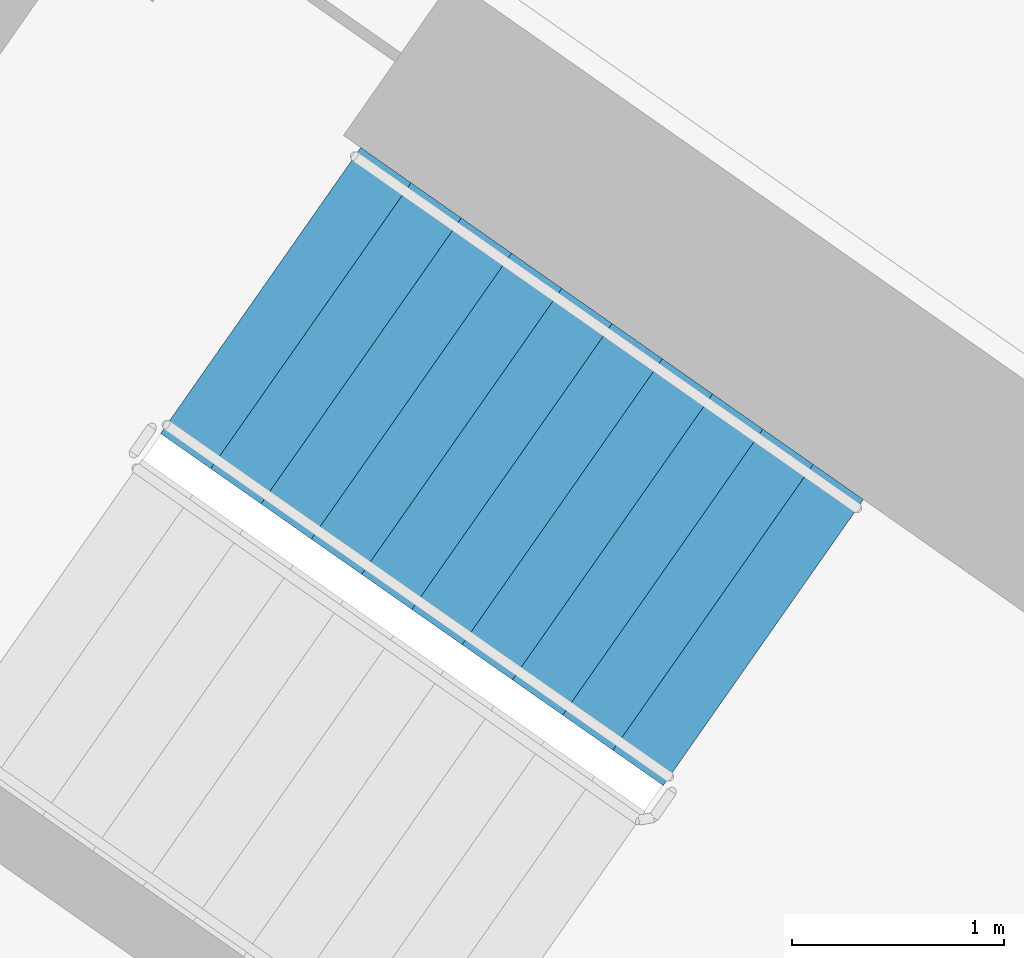
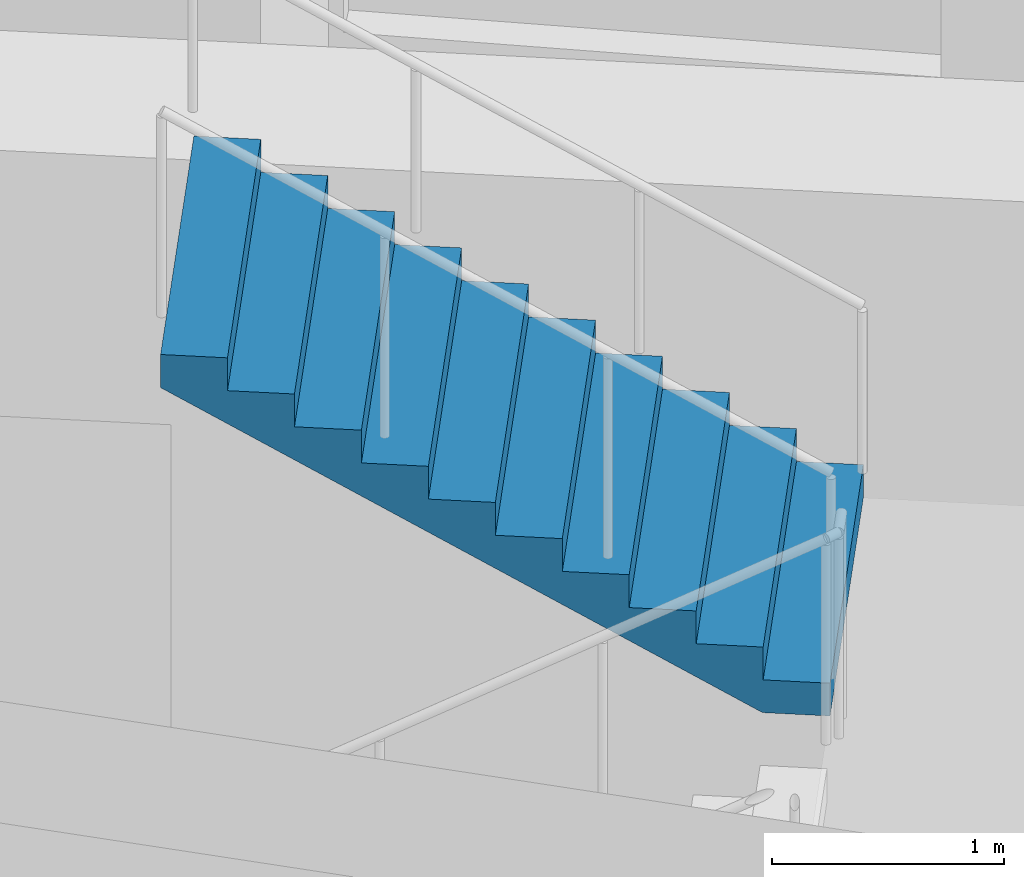
# One storey, part 13 of 29: 1 stair flight, 1 element without a shape of its own.
"""IFC4 building model written with IfcOpenShell, lengths in metres."""

from ifc_helpers import new_model, si_unit, direction, frame, origin, place, context, subcontext, project, spatial, faceted_brep, material, type_object, element, aggregate, save


model = new_model("IFC4")

# Units and contexts
model_context = context("Model", 3, precision=1e-05, world=origin(), true_north=direction((0.0, 1.0)))
body_context = subcontext(model_context, "Body", "Model", "MODEL_VIEW")
ifc_project = project(units=[si_unit("LENGTHUNIT", "METRE"), si_unit("AREAUNIT", "SQUARE_METRE"), si_unit("VOLUMEUNIT", "CUBIC_METRE"), si_unit("PLANEANGLEUNIT", "RADIAN"), si_unit("MASSUNIT", "GRAM", prefix="KILO")], contexts=[model_context])

# Site, building, storey
site_placement = place(None, origin())
site = spatial("IfcSite", under=ifc_project, at=site_placement, CompositionType="ELEMENT")
building_placement = place(site_placement, origin())
building = spatial("IfcBuilding", under=site, at=building_placement, Name="Qamariyya Broadcast Tower", CompositionType="ELEMENT")
storey_placement = place(building_placement, frame((0.0, 0.0, 113.89990234375)))
storey = spatial("IfcBuildingStorey", under=building, at=storey_placement, Name="L25", CompositionType="ELEMENT", Elevation=113.89990234375)

# Stair, stair flight
ifc_material = material(Name="Concrete C50/60", Category="concrete")
stair_type = type_object("IfcStairType", Name="Exit stair 22 risers of 173 mm", PredefinedType="HALF_TURN_STAIR", material=ifc_material)
stair_placement = place(storey_placement, origin())
stair = element("IfcStair", 1, at=stair_placement, inside=storey, type_object=stair_type, Name="L25 Stair W2", PredefinedType="HALF_TURN_STAIR")
stair_flight_type = type_object("IfcStairFlightType", Name="Exit stair flight 11 risers of 173 mm", PredefinedType="STRAIGHT", material=ifc_material)
stair_flight_placement = place(storey_placement, frame((-38.18310546875, -49.3486328125, 1.900146484375), z_axis=(0.0, 0.0, 1.0), x_axis=(-0.819152044289, 0.573576436351, 0.0)))
stair_flight = element("IfcStairFlight", 2, at=stair_flight_placement, type_object=stair_flight_type, Name="ST-W2 flight 2", NumberOfRisers=11, NumberOfTreads=10, PredefinedType="STRAIGHT", RiserHeight=0.172727273, TreadLength=0.29, context=body_context, shape_type="Brep", body=[
    faceted_brep([(0.0, 0.824951171875, 0.0), (0.0, 0.824951171875, 0.172607421875), (0.2900390625, 0.824951171875, 0.172607421875), (0.2900390625, 0.824951171875, 0.345458984375), (0.580078125, 0.824951171875, 0.345458984375), (0.580078125, 0.824951171875, 0.51806640625), (0.8701171875, 0.824951171875, 0.51806640625), (0.8701171875, 0.824951171875, 0.69091796875), (1.159912109375, 0.824951171875, 0.69091796875), (1.159912109375, 0.824951171875, 0.863525390625), (1.449951171875, 0.824951171875, 0.863525390625), (1.449951171875, 0.824951171875, 1.036376953125), (1.739990234375, 0.824951171875, 1.036376953125), (1.739990234375, 0.824951171875, 1.208984375), (2.030029296875, 0.824951171875, 1.208984375), (2.030029296875, 0.824951171875, 1.3818359375), (2.320068359375, 0.824951171875, 1.3818359375), (2.320068359375, 0.824951171875, 1.554443359375), (2.610107421875, 0.824951171875, 1.554443359375), (2.610107421875, 0.824951171875, 1.727294921875), (2.89990234375, 0.824951171875, 1.727294921875), (2.89990234375, 0.824951171875, 1.552734375), (0.29296875, 0.824951171875, 0.0), (0.29296875, -0.824951171875, 0.0), (2.89990234375, -0.824951171875, 1.552734375), (2.89990234375, -0.824951171875, 1.727294921875), (2.610107421875, -0.824951171875, 1.727294921875), (2.610107421875, -0.824951171875, 1.554443359375), (2.320068359375, -0.824951171875, 1.554443359375), (2.320068359375, -0.824951171875, 1.3818359375), (2.030029296875, -0.824951171875, 1.3818359375), (2.030029296875, -0.824951171875, 1.208984375), (1.739990234375, -0.824951171875, 1.208984375), (1.739990234375, -0.824951171875, 1.036376953125), (1.449951171875, -0.824951171875, 1.036376953125), (1.449951171875, -0.824951171875, 0.863525390625), (1.159912109375, -0.824951171875, 0.863525390625), (1.159912109375, -0.824951171875, 0.69091796875), (0.8701171875, -0.824951171875, 0.69091796875), (0.8701171875, -0.824951171875, 0.51806640625), (0.580078125, -0.824951171875, 0.51806640625), (0.580078125, -0.824951171875, 0.345458984375), (0.2900390625, -0.824951171875, 0.345458984375), (0.2900390625, -0.824951171875, 0.172607421875), (0.0, -0.824951171875, 0.172607421875), (0.0, -0.824951171875, 0.0), (0.0, 0.10009765625, 0.0), (0.0, 0.086669921875, 0.0), (0.0, 0.0732421875, 0.0), (0.0, 0.06005859375, 0.0), (0.0, 0.046630859375, 0.0), (0.0, 0.033447265625, 0.0), (0.0, 0.02001953125, 0.0), (0.0, 0.006591796875, 0.0), (0.0, -0.006591796875, 0.0), (0.0, -0.02001953125, 0.0), (0.0, -0.033447265625, 0.0), (0.0, -0.046630859375, 0.0), (0.0, -0.06005859375, 0.0), (0.0, -0.0732421875, 0.0), (0.0, -0.086669921875, 0.0), (0.0, -0.10009765625, 0.0), (0.0, -0.10009765625, 0.172607421875), (0.0, -0.086669921875, 0.172607421875), (0.0, -0.0732421875, 0.172607421875), (0.0, -0.06005859375, 0.172607421875), (0.0, -0.046630859375, 0.172607421875), (0.0, -0.033447265625, 0.172607421875), (0.0, -0.02001953125, 0.172607421875), (0.0, -0.006591796875, 0.172607421875), (0.0, 0.006591796875, 0.172607421875), (0.0, 0.02001953125, 0.172607421875), (0.0, 0.033447265625, 0.172607421875), (0.0, 0.046630859375, 0.172607421875), (0.0, 0.06005859375, 0.172607421875), (0.0, 0.0732421875, 0.172607421875), (0.0, 0.086669921875, 0.172607421875), (0.0, 0.10009765625, 0.172607421875), (0.2900390625, -0.10009765625, 0.172607421875), (0.2900390625, -0.086669921875, 0.172607421875), (0.2900390625, -0.0732421875, 0.172607421875), (0.2900390625, -0.06005859375, 0.172607421875), (0.2900390625, -0.046630859375, 0.172607421875), (0.2900390625, -0.033447265625, 0.172607421875), (0.2900390625, -0.02001953125, 0.172607421875), (0.2900390625, -0.006591796875, 0.172607421875), (0.2900390625, 0.006591796875, 0.172607421875), (0.2900390625, 0.02001953125, 0.172607421875), (0.2900390625, 0.033447265625, 0.172607421875), (0.2900390625, 0.046630859375, 0.172607421875), (0.2900390625, 0.06005859375, 0.172607421875), (0.2900390625, 0.0732421875, 0.172607421875), (0.2900390625, 0.086669921875, 0.172607421875), (0.2900390625, 0.10009765625, 0.172607421875), (0.2900390625, -0.10009765625, 0.345458984375), (0.2900390625, -0.086669921875, 0.345458984375), (0.2900390625, -0.0732421875, 0.345458984375), (0.2900390625, -0.06005859375, 0.345458984375), (0.2900390625, -0.046630859375, 0.345458984375), (0.2900390625, -0.033447265625, 0.345458984375), (0.2900390625, -0.02001953125, 0.345458984375), (0.2900390625, -0.006591796875, 0.345458984375), (0.2900390625, 0.006591796875, 0.345458984375), (0.2900390625, 0.02001953125, 0.345458984375), (0.2900390625, 0.033447265625, 0.345458984375), (0.2900390625, 0.046630859375, 0.345458984375), (0.2900390625, 0.06005859375, 0.345458984375), (0.2900390625, 0.0732421875, 0.345458984375), (0.2900390625, 0.086669921875, 0.345458984375), (0.2900390625, 0.10009765625, 0.345458984375), (0.580078125, -0.10009765625, 0.345458984375), (0.580078125, -0.086669921875, 0.345458984375), (0.580078125, -0.0732421875, 0.345458984375), (0.580078125, -0.06005859375, 0.345458984375), (0.580078125, -0.046630859375, 0.345458984375), (0.580078125, -0.033447265625, 0.345458984375), (0.580078125, -0.02001953125, 0.345458984375), (0.580078125, -0.006591796875, 0.345458984375), (0.580078125, 0.006591796875, 0.345458984375), (0.580078125, 0.02001953125, 0.345458984375), (0.580078125, 0.033447265625, 0.345458984375), (0.580078125, 0.046630859375, 0.345458984375), (0.580078125, 0.06005859375, 0.345458984375), (0.580078125, 0.0732421875, 0.345458984375), (0.580078125, 0.086669921875, 0.345458984375), (0.580078125, 0.10009765625, 0.345458984375), (0.580078125, -0.10009765625, 0.51806640625), (0.580078125, -0.086669921875, 0.51806640625), (0.580078125, -0.0732421875, 0.51806640625), (0.580078125, -0.06005859375, 0.51806640625), (0.580078125, -0.046630859375, 0.51806640625), (0.580078125, -0.033447265625, 0.51806640625), (0.580078125, -0.02001953125, 0.51806640625), (0.580078125, -0.006591796875, 0.51806640625), (0.580078125, 0.006591796875, 0.51806640625), (0.580078125, 0.02001953125, 0.51806640625), (0.580078125, 0.033447265625, 0.51806640625), (0.580078125, 0.046630859375, 0.51806640625), (0.580078125, 0.06005859375, 0.51806640625), (0.580078125, 0.0732421875, 0.51806640625), (0.580078125, 0.086669921875, 0.51806640625), (0.580078125, 0.10009765625, 0.51806640625), (0.8701171875, -0.10009765625, 0.51806640625), (0.8701171875, -0.086669921875, 0.51806640625), (0.8701171875, -0.0732421875, 0.51806640625), (0.8701171875, -0.06005859375, 0.51806640625), (0.8701171875, -0.046630859375, 0.51806640625), (0.8701171875, -0.033447265625, 0.51806640625), (0.8701171875, -0.02001953125, 0.51806640625), (0.8701171875, -0.006591796875, 0.51806640625), (0.8701171875, 0.006591796875, 0.51806640625), (0.8701171875, 0.02001953125, 0.51806640625), (0.8701171875, 0.033447265625, 0.51806640625), (0.8701171875, 0.046630859375, 0.51806640625), (0.8701171875, 0.06005859375, 0.51806640625), (0.8701171875, 0.0732421875, 0.51806640625), (0.8701171875, 0.086669921875, 0.51806640625), (0.8701171875, 0.10009765625, 0.51806640625), (0.8701171875, -0.10009765625, 0.69091796875), (0.8701171875, -0.086669921875, 0.69091796875), (0.8701171875, -0.0732421875, 0.69091796875), (0.8701171875, -0.06005859375, 0.69091796875), (0.8701171875, -0.046630859375, 0.69091796875), (0.8701171875, -0.033447265625, 0.69091796875), (0.8701171875, -0.02001953125, 0.69091796875), (0.8701171875, -0.006591796875, 0.69091796875), (0.8701171875, 0.006591796875, 0.69091796875), (0.8701171875, 0.02001953125, 0.69091796875), (0.8701171875, 0.033447265625, 0.69091796875), (0.8701171875, 0.046630859375, 0.69091796875), (0.8701171875, 0.06005859375, 0.69091796875), (0.8701171875, 0.0732421875, 0.69091796875), (0.8701171875, 0.086669921875, 0.69091796875), (0.8701171875, 0.10009765625, 0.69091796875), (1.159912109375, -0.10009765625, 0.69091796875), (1.159912109375, -0.086669921875, 0.69091796875), (1.159912109375, -0.0732421875, 0.69091796875), (1.159912109375, -0.06005859375, 0.69091796875), (1.159912109375, -0.046630859375, 0.69091796875), (1.159912109375, -0.033447265625, 0.69091796875), (1.159912109375, -0.02001953125, 0.69091796875), (1.159912109375, -0.006591796875, 0.69091796875), (1.159912109375, 0.006591796875, 0.69091796875), (1.159912109375, 0.02001953125, 0.69091796875), (1.159912109375, 0.033447265625, 0.69091796875), (1.159912109375, 0.046630859375, 0.69091796875), (1.159912109375, 0.06005859375, 0.69091796875), (1.159912109375, 0.0732421875, 0.69091796875), (1.159912109375, 0.086669921875, 0.69091796875), (1.159912109375, 0.10009765625, 0.69091796875), (1.159912109375, -0.10009765625, 0.863525390625), (1.159912109375, -0.086669921875, 0.863525390625), (1.159912109375, -0.0732421875, 0.863525390625), (1.159912109375, -0.06005859375, 0.863525390625), (1.159912109375, -0.046630859375, 0.863525390625), (1.159912109375, -0.033447265625, 0.863525390625), (1.159912109375, -0.02001953125, 0.863525390625), (1.159912109375, -0.006591796875, 0.863525390625), (1.159912109375, 0.006591796875, 0.863525390625), (1.159912109375, 0.02001953125, 0.863525390625), (1.159912109375, 0.033447265625, 0.863525390625), (1.159912109375, 0.046630859375, 0.863525390625), (1.159912109375, 0.06005859375, 0.863525390625), (1.159912109375, 0.0732421875, 0.863525390625), (1.159912109375, 0.086669921875, 0.863525390625), (1.159912109375, 0.10009765625, 0.863525390625), (1.449951171875, -0.10009765625, 0.863525390625), (1.449951171875, -0.086669921875, 0.863525390625), (1.449951171875, -0.0732421875, 0.863525390625), (1.449951171875, -0.06005859375, 0.863525390625), (1.449951171875, -0.046630859375, 0.863525390625), (1.449951171875, -0.033447265625, 0.863525390625), (1.449951171875, -0.02001953125, 0.863525390625), (1.449951171875, -0.006591796875, 0.863525390625), (1.449951171875, 0.006591796875, 0.863525390625), (1.449951171875, 0.02001953125, 0.863525390625), (1.449951171875, 0.033447265625, 0.863525390625), (1.449951171875, 0.046630859375, 0.863525390625), (1.449951171875, 0.06005859375, 0.863525390625), (1.449951171875, 0.0732421875, 0.863525390625), (1.449951171875, 0.086669921875, 0.863525390625), (1.449951171875, 0.10009765625, 0.863525390625), (1.449951171875, -0.10009765625, 1.036376953125), (1.449951171875, -0.086669921875, 1.036376953125), (1.449951171875, -0.0732421875, 1.036376953125), (1.449951171875, -0.06005859375, 1.036376953125), (1.449951171875, -0.046630859375, 1.036376953125), (1.449951171875, -0.033447265625, 1.036376953125), (1.449951171875, -0.02001953125, 1.036376953125), (1.449951171875, -0.006591796875, 1.036376953125), (1.449951171875, 0.006591796875, 1.036376953125), (1.449951171875, 0.02001953125, 1.036376953125), (1.449951171875, 0.033447265625, 1.036376953125), (1.449951171875, 0.046630859375, 1.036376953125), (1.449951171875, 0.06005859375, 1.036376953125), (1.449951171875, 0.0732421875, 1.036376953125), (1.449951171875, 0.086669921875, 1.036376953125), (1.449951171875, 0.10009765625, 1.036376953125), (1.739990234375, -0.10009765625, 1.036376953125), (1.739990234375, -0.086669921875, 1.036376953125), (1.739990234375, -0.0732421875, 1.036376953125), (1.739990234375, -0.06005859375, 1.036376953125), (1.739990234375, -0.046630859375, 1.036376953125), (1.739990234375, -0.033447265625, 1.036376953125), (1.739990234375, -0.02001953125, 1.036376953125), (1.739990234375, -0.006591796875, 1.036376953125), (1.739990234375, 0.006591796875, 1.036376953125), (1.739990234375, 0.02001953125, 1.036376953125), (1.739990234375, 0.033447265625, 1.036376953125), (1.739990234375, 0.046630859375, 1.036376953125), (1.739990234375, 0.06005859375, 1.036376953125), (1.739990234375, 0.0732421875, 1.036376953125), (1.739990234375, 0.086669921875, 1.036376953125), (1.739990234375, 0.10009765625, 1.036376953125), (1.739990234375, -0.10009765625, 1.208984375), (1.739990234375, -0.086669921875, 1.208984375), (1.739990234375, -0.0732421875, 1.208984375), (1.739990234375, -0.06005859375, 1.208984375), (1.739990234375, -0.046630859375, 1.208984375), (1.739990234375, -0.033447265625, 1.208984375), (1.739990234375, -0.02001953125, 1.208984375), (1.739990234375, -0.006591796875, 1.208984375), (1.739990234375, 0.006591796875, 1.208984375), (1.739990234375, 0.02001953125, 1.208984375), (1.739990234375, 0.033447265625, 1.208984375), (1.739990234375, 0.046630859375, 1.208984375), (1.739990234375, 0.06005859375, 1.208984375), (1.739990234375, 0.0732421875, 1.208984375), (1.739990234375, 0.086669921875, 1.208984375), (1.739990234375, 0.10009765625, 1.208984375), (2.030029296875, -0.10009765625, 1.208984375), (2.030029296875, -0.086669921875, 1.208984375), (2.030029296875, -0.0732421875, 1.208984375), (2.030029296875, -0.06005859375, 1.208984375), (2.030029296875, -0.046630859375, 1.208984375), (2.030029296875, -0.033447265625, 1.208984375), (2.030029296875, -0.02001953125, 1.208984375), (2.030029296875, -0.006591796875, 1.208984375), (2.030029296875, 0.006591796875, 1.208984375), (2.030029296875, 0.02001953125, 1.208984375), (2.030029296875, 0.033447265625, 1.208984375), (2.030029296875, 0.046630859375, 1.208984375), (2.030029296875, 0.06005859375, 1.208984375), (2.030029296875, 0.0732421875, 1.208984375), (2.030029296875, 0.086669921875, 1.208984375), (2.030029296875, 0.10009765625, 1.208984375), (2.030029296875, -0.10009765625, 1.3818359375), (2.030029296875, -0.086669921875, 1.3818359375), (2.030029296875, -0.0732421875, 1.3818359375), (2.030029296875, -0.06005859375, 1.3818359375), (2.030029296875, -0.046630859375, 1.3818359375), (2.030029296875, -0.033447265625, 1.3818359375), (2.030029296875, -0.02001953125, 1.3818359375), (2.030029296875, -0.006591796875, 1.3818359375), (2.030029296875, 0.006591796875, 1.3818359375), (2.030029296875, 0.02001953125, 1.3818359375), (2.030029296875, 0.033447265625, 1.3818359375), (2.030029296875, 0.046630859375, 1.3818359375), (2.030029296875, 0.06005859375, 1.3818359375), (2.030029296875, 0.0732421875, 1.3818359375), (2.030029296875, 0.086669921875, 1.3818359375), (2.030029296875, 0.10009765625, 1.3818359375), (2.320068359375, -0.10009765625, 1.3818359375), (2.320068359375, -0.086669921875, 1.3818359375), (2.320068359375, -0.0732421875, 1.3818359375), (2.320068359375, -0.06005859375, 1.3818359375), (2.320068359375, -0.046630859375, 1.3818359375), (2.320068359375, -0.033447265625, 1.3818359375), (2.320068359375, -0.02001953125, 1.3818359375), (2.320068359375, -0.006591796875, 1.3818359375), (2.320068359375, 0.006591796875, 1.3818359375), (2.320068359375, 0.02001953125, 1.3818359375), (2.320068359375, 0.033447265625, 1.3818359375), (2.320068359375, 0.046630859375, 1.3818359375), (2.320068359375, 0.06005859375, 1.3818359375), (2.320068359375, 0.0732421875, 1.3818359375), (2.320068359375, 0.086669921875, 1.3818359375), (2.320068359375, 0.10009765625, 1.3818359375), (2.320068359375, -0.10009765625, 1.554443359375), (2.320068359375, -0.086669921875, 1.554443359375), (2.320068359375, -0.0732421875, 1.554443359375), (2.320068359375, -0.06005859375, 1.554443359375), (2.320068359375, -0.046630859375, 1.554443359375), (2.320068359375, -0.033447265625, 1.554443359375), (2.320068359375, -0.02001953125, 1.554443359375), (2.320068359375, -0.006591796875, 1.554443359375), (2.320068359375, 0.006591796875, 1.554443359375), (2.320068359375, 0.02001953125, 1.554443359375), (2.320068359375, 0.033447265625, 1.554443359375), (2.320068359375, 0.046630859375, 1.554443359375), (2.320068359375, 0.06005859375, 1.554443359375), (2.320068359375, 0.0732421875, 1.554443359375), (2.320068359375, 0.086669921875, 1.554443359375), (2.320068359375, 0.10009765625, 1.554443359375), (2.610107421875, -0.10009765625, 1.554443359375), (2.610107421875, -0.086669921875, 1.554443359375), (2.610107421875, -0.0732421875, 1.554443359375), (2.610107421875, -0.06005859375, 1.554443359375), (2.610107421875, -0.046630859375, 1.554443359375), (2.610107421875, -0.033447265625, 1.554443359375), (2.610107421875, -0.02001953125, 1.554443359375), (2.610107421875, -0.006591796875, 1.554443359375), (2.610107421875, 0.006591796875, 1.554443359375), (2.610107421875, 0.02001953125, 1.554443359375), (2.610107421875, 0.033447265625, 1.554443359375), (2.610107421875, 0.046630859375, 1.554443359375), (2.610107421875, 0.06005859375, 1.554443359375), (2.610107421875, 0.0732421875, 1.554443359375), (2.610107421875, 0.086669921875, 1.554443359375), (2.610107421875, 0.10009765625, 1.554443359375), (2.610107421875, -0.10009765625, 1.727294921875), (2.610107421875, -0.086669921875, 1.727294921875), (2.610107421875, -0.0732421875, 1.727294921875), (2.610107421875, -0.06005859375, 1.727294921875), (2.610107421875, -0.046630859375, 1.727294921875), (2.610107421875, -0.033447265625, 1.727294921875), (2.610107421875, -0.02001953125, 1.727294921875), (2.610107421875, -0.006591796875, 1.727294921875), (2.610107421875, 0.006591796875, 1.727294921875), (2.610107421875, 0.02001953125, 1.727294921875), (2.610107421875, 0.033447265625, 1.727294921875), (2.610107421875, 0.046630859375, 1.727294921875), (2.610107421875, 0.06005859375, 1.727294921875), (2.610107421875, 0.0732421875, 1.727294921875), (2.610107421875, 0.086669921875, 1.727294921875), (2.610107421875, 0.10009765625, 1.727294921875), (2.89990234375, -0.10009765625, 1.727294921875), (2.89990234375, -0.086669921875, 1.727294921875), (2.89990234375, -0.0732421875, 1.727294921875), (2.89990234375, -0.06005859375, 1.727294921875), (2.89990234375, -0.046630859375, 1.727294921875), (2.89990234375, -0.033447265625, 1.727294921875), (2.89990234375, -0.02001953125, 1.727294921875), (2.89990234375, -0.006591796875, 1.727294921875), (2.89990234375, 0.006591796875, 1.727294921875), (2.89990234375, 0.02001953125, 1.727294921875), (2.89990234375, 0.033447265625, 1.727294921875), (2.89990234375, 0.046630859375, 1.727294921875), (2.89990234375, 0.06005859375, 1.727294921875), (2.89990234375, 0.0732421875, 1.727294921875), (2.89990234375, 0.086669921875, 1.727294921875), (2.89990234375, 0.10009765625, 1.727294921875), (2.89990234375, -0.10009765625, 1.552734375), (2.89990234375, -0.086669921875, 1.552734375), (2.89990234375, -0.0732421875, 1.552734375), (2.89990234375, -0.06005859375, 1.552734375), (2.89990234375, -0.046630859375, 1.552734375), (2.89990234375, -0.033447265625, 1.552734375), (2.89990234375, -0.02001953125, 1.552734375), (2.89990234375, -0.006591796875, 1.552734375), (2.89990234375, 0.006591796875, 1.552734375), (2.89990234375, 0.02001953125, 1.552734375), (2.89990234375, 0.033447265625, 1.552734375), (2.89990234375, 0.046630859375, 1.552734375), (2.89990234375, 0.06005859375, 1.552734375), (2.89990234375, 0.0732421875, 1.552734375), (2.89990234375, 0.086669921875, 1.552734375), (2.89990234375, 0.10009765625, 1.552734375), (0.29296875, -0.10009765625, 0.0), (0.29296875, -0.086669921875, 0.0), (0.29296875, -0.0732421875, 0.0), (0.29296875, -0.06005859375, 0.0), (0.29296875, -0.046630859375, 0.0), (0.29296875, -0.033447265625, 0.0), (0.29296875, -0.02001953125, 0.0), (0.29296875, -0.006591796875, 0.0), (0.29296875, 0.006591796875, 0.0), (0.29296875, 0.02001953125, 0.0), (0.29296875, 0.033447265625, 0.0), (0.29296875, 0.046630859375, 0.0), (0.29296875, 0.06005859375, 0.0), (0.29296875, 0.0732421875, 0.0), (0.29296875, 0.086669921875, 0.0), (0.29296875, 0.10009765625, 0.0)], [[[0, 1, 2, 3, 4, 5, 6, 7, 8, 9, 10, 11, 12, 13, 14, 15, 16, 17, 18, 19, 20, 21, 22]], [[23, 24, 25, 26, 27, 28, 29, 30, 31, 32, 33, 34, 35, 36, 37, 38, 39, 40, 41, 42, 43, 44, 45]], [[0, 46, 47, 48, 49, 50, 51, 52, 53, 54, 55, 56, 57, 58, 59, 60, 61, 45, 44, 62, 63, 64, 65, 66, 67, 68, 69, 70, 71, 72, 73, 74, 75, 76, 77, 1]], [[1, 77, 76, 75, 74, 73, 72, 71, 70, 69, 68, 67, 66, 65, 64, 63, 62, 44, 43, 78, 79, 80, 81, 82, 83, 84, 85, 86, 87, 88, 89, 90, 91, 92, 93, 2]], [[2, 93, 92, 91, 90, 89, 88, 87, 86, 85, 84, 83, 82, 81, 80, 79, 78, 43, 42, 94, 95, 96, 97, 98, 99, 100, 101, 102, 103, 104, 105, 106, 107, 108, 109, 3]], [[3, 109, 108, 107, 106, 105, 104, 103, 102, 101, 100, 99, 98, 97, 96, 95, 94, 42, 41, 110, 111, 112, 113, 114, 115, 116, 117, 118, 119, 120, 121, 122, 123, 124, 125, 4]], [[4, 125, 124, 123, 122, 121, 120, 119, 118, 117, 116, 115, 114, 113, 112, 111, 110, 41, 40, 126, 127, 128, 129, 130, 131, 132, 133, 134, 135, 136, 137, 138, 139, 140, 141, 5]], [[5, 141, 140, 139, 138, 137, 136, 135, 134, 133, 132, 131, 130, 129, 128, 127, 126, 40, 39, 142, 143, 144, 145, 146, 147, 148, 149, 150, 151, 152, 153, 154, 155, 156, 157, 6]], [[6, 157, 156, 155, 154, 153, 152, 151, 150, 149, 148, 147, 146, 145, 144, 143, 142, 39, 38, 158, 159, 160, 161, 162, 163, 164, 165, 166, 167, 168, 169, 170, 171, 172, 173, 7]], [[7, 173, 172, 171, 170, 169, 168, 167, 166, 165, 164, 163, 162, 161, 160, 159, 158, 38, 37, 174, 175, 176, 177, 178, 179, 180, 181, 182, 183, 184, 185, 186, 187, 188, 189, 8]], [[8, 189, 188, 187, 186, 185, 184, 183, 182, 181, 180, 179, 178, 177, 176, 175, 174, 37, 36, 190, 191, 192, 193, 194, 195, 196, 197, 198, 199, 200, 201, 202, 203, 204, 205, 9]], [[9, 205, 204, 203, 202, 201, 200, 199, 198, 197, 196, 195, 194, 193, 192, 191, 190, 36, 35, 206, 207, 208, 209, 210, 211, 212, 213, 214, 215, 216, 217, 218, 219, 220, 221, 10]], [[10, 221, 220, 219, 218, 217, 216, 215, 214, 213, 212, 211, 210, 209, 208, 207, 206, 35, 34, 222, 223, 224, 225, 226, 227, 228, 229, 230, 231, 232, 233, 234, 235, 236, 237, 11]], [[11, 237, 236, 235, 234, 233, 232, 231, 230, 229, 228, 227, 226, 225, 224, 223, 222, 34, 33, 238, 239, 240, 241, 242, 243, 244, 245, 246, 247, 248, 249, 250, 251, 252, 253, 12]], [[12, 253, 252, 251, 250, 249, 248, 247, 246, 245, 244, 243, 242, 241, 240, 239, 238, 33, 32, 254, 255, 256, 257, 258, 259, 260, 261, 262, 263, 264, 265, 266, 267, 268, 269, 13]], [[13, 269, 268, 267, 266, 265, 264, 263, 262, 261, 260, 259, 258, 257, 256, 255, 254, 32, 31, 270, 271, 272, 273, 274, 275, 276, 277, 278, 279, 280, 281, 282, 283, 284, 285, 14]], [[14, 285, 284, 283, 282, 281, 280, 279, 278, 277, 276, 275, 274, 273, 272, 271, 270, 31, 30, 286, 287, 288, 289, 290, 291, 292, 293, 294, 295, 296, 297, 298, 299, 300, 301, 15]], [[15, 301, 300, 299, 298, 297, 296, 295, 294, 293, 292, 291, 290, 289, 288, 287, 286, 30, 29, 302, 303, 304, 305, 306, 307, 308, 309, 310, 311, 312, 313, 314, 315, 316, 317, 16]], [[16, 317, 316, 315, 314, 313, 312, 311, 310, 309, 308, 307, 306, 305, 304, 303, 302, 29, 28, 318, 319, 320, 321, 322, 323, 324, 325, 326, 327, 328, 329, 330, 331, 332, 333, 17]], [[17, 333, 332, 331, 330, 329, 328, 327, 326, 325, 324, 323, 322, 321, 320, 319, 318, 28, 27, 334, 335, 336, 337, 338, 339, 340, 341, 342, 343, 344, 345, 346, 347, 348, 349, 18]], [[18, 349, 348, 347, 346, 345, 344, 343, 342, 341, 340, 339, 338, 337, 336, 335, 334, 27, 26, 350, 351, 352, 353, 354, 355, 356, 357, 358, 359, 360, 361, 362, 363, 364, 365, 19]], [[19, 365, 364, 363, 362, 361, 360, 359, 358, 357, 356, 355, 354, 353, 352, 351, 350, 26, 25, 366, 367, 368, 369, 370, 371, 372, 373, 374, 375, 376, 377, 378, 379, 380, 381, 20]], [[20, 381, 380, 379, 378, 377, 376, 375, 374, 373, 372, 371, 370, 369, 368, 367, 366, 25, 24, 382, 383, 384, 385, 386, 387, 388, 389, 390, 391, 392, 393, 394, 395, 396, 397, 21]], [[21, 397, 396, 395, 394, 393, 392, 391, 390, 389, 388, 387, 386, 385, 384, 383, 382, 24, 23, 398, 399, 400, 401, 402, 403, 404, 405, 406, 407, 408, 409, 410, 411, 412, 413, 22]], [[22, 413, 412, 411, 410, 409, 408, 407, 406, 405, 404, 403, 402, 401, 400, 399, 398, 23, 45, 61, 60, 59, 58, 57, 56, 55, 54, 53, 52, 51, 50, 49, 48, 47, 46, 0]]]),
])
aggregate(stair, [stair_flight])

save(model, "model.ifc")
